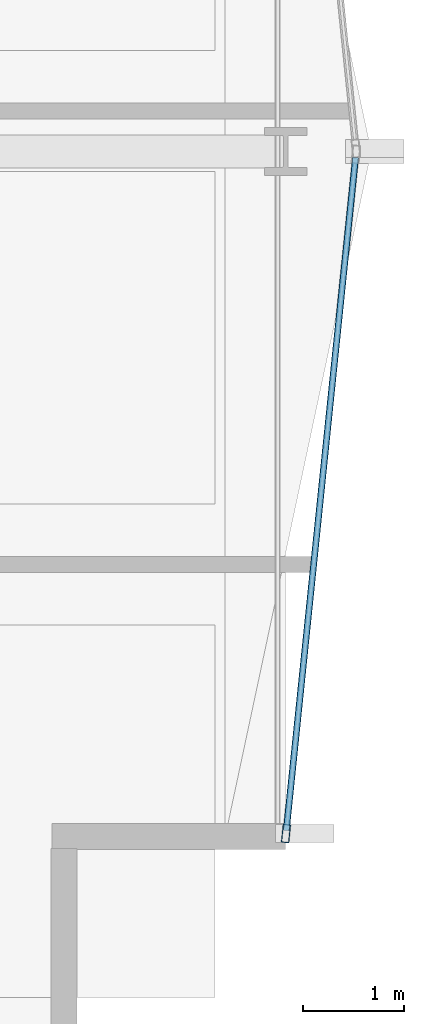
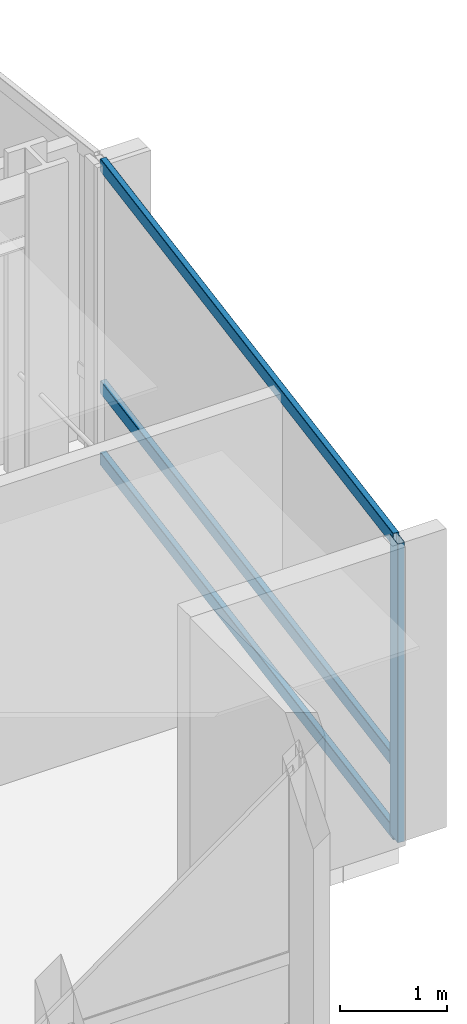
# One storey, part 13 of 34: 4 members, 1 element without a shape of its own.
"""IFC4 building model written with IfcOpenShell, lengths in metres."""

from ifc_helpers import new_model, si_unit, direction, frame, origin, origin_2d, place, context, subcontext, project, spatial, hollow_rectangle, extrude, material, layer, layer_set, material_profile, profile_set, type_object, element, aggregate, save


model = new_model("IFC4")

# Units and contexts
model_context = context("Model", 3, precision=1e-05, world=origin(), true_north=direction((0.0, 1.0)))
body_context = subcontext(model_context, "Body", "Model", "MODEL_VIEW")
ifc_project = project(units=[si_unit("LENGTHUNIT", "METRE"), si_unit("AREAUNIT", "SQUARE_METRE"), si_unit("VOLUMEUNIT", "CUBIC_METRE"), si_unit("PLANEANGLEUNIT", "RADIAN"), si_unit("MASSUNIT", "GRAM", prefix="KILO")], contexts=[model_context])

# Site, building, storey
site_placement = place(None, origin())
site = spatial("IfcSite", under=ifc_project, at=site_placement, CompositionType="ELEMENT")
building_placement = place(site_placement, origin())
building = spatial("IfcBuilding", under=site, at=building_placement, Name="Solvaryn Broadcast Tower", CompositionType="ELEMENT")
storey_placement = place(building_placement, frame((0.0, 0.0, 89.10009765625)))
storey = spatial("IfcBuildingStorey", under=building, at=storey_placement, Name="L21", CompositionType="ELEMENT", Elevation=89.10009765625)

# Curtain wall, members
ifc_material_1 = material(Name="Aluminium and Terracotta Unitised Curtain Wall", Category="masonry")
ifc_layer = layer(ifc_material_1, 0.199951171875)
ifc_layer_set = layer_set([ifc_layer], Name="CW-SYS2-LOWMID")
curtain_wall_type = type_object("IfcCurtainWallType", Name="CW-SYS2-LOWMID", PredefinedType="NOTDEFINED", material=ifc_layer_set)
curtain_wall_placement = place(storey_placement, origin())
curtain_wall = element("IfcCurtainWall", 1, at=curtain_wall_placement, inside=storey, type_object=curtain_wall_type, Name="L21 Curtain Wall ET2", PredefinedType="NOTDEFINED")
ifc_material_2 = material(Name="Anodised Aluminium 6063-T6", Category="aluminium")
ifc_material_profile_1 = material_profile(ifc_material_2, hollow_rectangle(XDim=0.074951171875, YDim=0.179931640625, WallThickness=0.00390625, InnerFilletRadius=0.00390625, OuterFilletRadius=0.008056640625, at=origin_2d()))
ifc_profile_set_1 = profile_set([ifc_material_profile_1], Name="Anodised Aluminium 6063-T6")
member_type_1 = type_object("IfcMemberType", Name="CW-MUL-180", PredefinedType="MULLION", material=ifc_profile_set_1)
member_1_placement = place(storey_placement, frame((63.003173828125, 11.229736328125, 0.0), z_axis=(0.0, 0.0, 1.0), x_axis=(0.99474329889, -0.10240004548, 0.0)))
member_1 = element("IfcMember", 2, at=member_1_placement, type_object=member_type_1, Name="CWS2 mullion 2", PredefinedType="MULLION", context=body_context, shape_type="SweptSolid", body=[
    extrude(hollow_rectangle(XDim=0.074951171875, YDim=0.179931640625, WallThickness=0.00390625, InnerFilletRadius=0.00390625, OuterFilletRadius=0.008056640625, at=origin_2d()), origin(), (0.0, 0.0, 1.0), 3.419921875),
])
ifc_material_3 = material(Name="Anodised Aluminium 6063-T6", Category="aluminium")
ifc_material_profile_2 = material_profile(ifc_material_3, hollow_rectangle(XDim=0.06494140625, YDim=0.14990234375, WallThickness=0.00390625, InnerFilletRadius=0.00390625, OuterFilletRadius=0.008056640625, at=origin_2d()))
ifc_profile_set_2 = profile_set([ifc_material_profile_2], Name="Anodised Aluminium 6063-T6")
member_type_2 = type_object("IfcMemberType", Name="CW-TRN-150", PredefinedType="USERDEFINED", material=ifc_profile_set_2)
member_2_placement = place(storey_placement, frame((63.69384765625, 17.9404296875, 0.02978515625), z_axis=(-0.102404277363, -0.994742863245, 0.0), x_axis=(0.994742863245, -0.102404277363, 0.0)))
member_2 = element("IfcMember", 3, at=member_2_placement, type_object=member_type_2, Name="CWS2 transom 1.1", ObjectType="TRANSOM", PredefinedType="USERDEFINED", context=body_context, shape_type="SweptSolid", body=[
    extrude(hollow_rectangle(XDim=0.06494140625, YDim=0.14990234375, WallThickness=0.00390625, InnerFilletRadius=0.00390625, OuterFilletRadius=0.008056640625, at=origin_2d()), origin(), (0.0, 0.0, 1.0), 6.716064453125),
])
member_3_placement = place(storey_placement, frame((63.69384765625, 17.9404296875, 0.849853515625), z_axis=(-0.102404277363, -0.994742863245, 0.0), x_axis=(0.994742863245, -0.102404277363, 0.0)))
member_3 = element("IfcMember", 4, at=member_3_placement, type_object=member_type_2, Name="CWS2 transom 1.2", ObjectType="TRANSOM", PredefinedType="USERDEFINED", context=body_context, shape_type="SweptSolid", body=[
    extrude(hollow_rectangle(XDim=0.06494140625, YDim=0.14990234375, WallThickness=0.00390625, InnerFilletRadius=0.00390625, OuterFilletRadius=0.008056640625, at=origin_2d()), origin(), (0.0, 0.0, 1.0), 6.716064453125),
])
member_4_placement = place(storey_placement, frame((63.69384765625, 17.9404296875, 3.389892578125), z_axis=(-0.102404277363, -0.994742863245, 0.0), x_axis=(0.994742863245, -0.102404277363, 0.0)))
member_4 = element("IfcMember", 5, at=member_4_placement, type_object=member_type_2, Name="CWS2 transom 1.3", ObjectType="TRANSOM", PredefinedType="USERDEFINED", context=body_context, shape_type="SweptSolid", body=[
    extrude(hollow_rectangle(XDim=0.06494140625, YDim=0.14990234375, WallThickness=0.00390625, InnerFilletRadius=0.00390625, OuterFilletRadius=0.008056640625, at=origin_2d()), origin(), (0.0, 0.0, 1.0), 6.716064453125),
])
aggregate(curtain_wall, [member_1, member_2, member_3, member_4])

save(model, "model.ifc")
